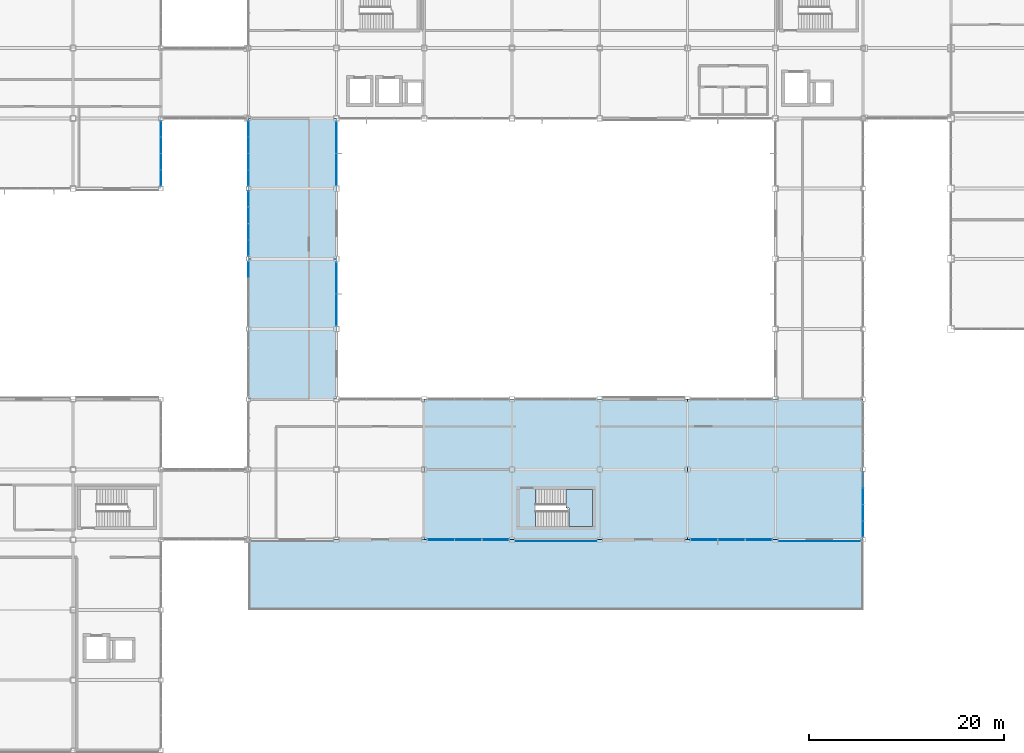
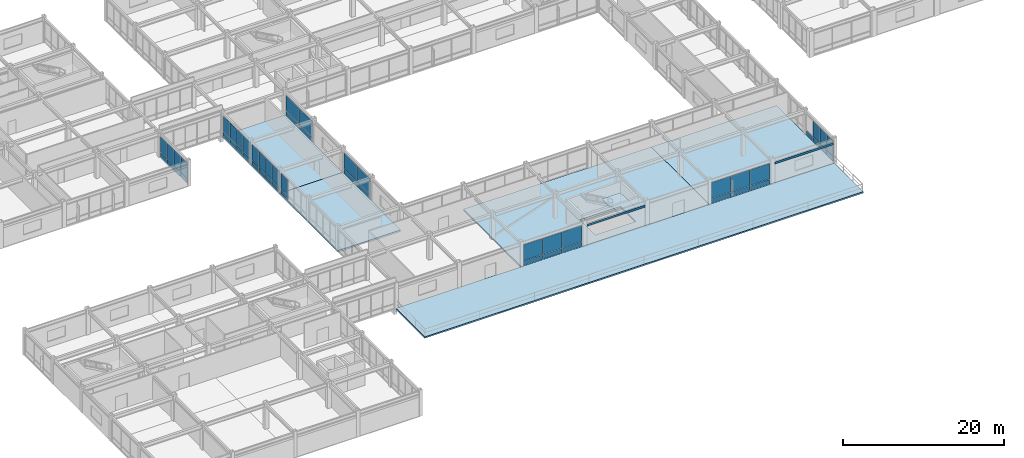
# One storey, part 91 of 122: 55 plates, 6 slabs, 10 elements without a shape of their own.
"""IFC4 building model written with IfcOpenShell, lengths in metres."""

import ifcopenshell
import ifcopenshell.guid

model = None  # the IFC model being written
_history = None  # IfcOwnerHistory: only IFC2X3 demands one
_inside = {}  # id of a spatial element -> (the spatial element, [elements in it])
_under = {}  # id of a project, library or spatial element -> (it, [spatial elements below it])
_declared = {}  # id of a project -> (the project, [libraries it declares])
_typed = {}  # id of a type object -> (the type object, [elements of that type])
_made_of = {}  # id of a material, layer set ... -> (it, [elements and type objects made of it])


def new_model(schema):
    """Start an empty IFC model of exactly this schema.

    Asked for "IFC4X3", IfcOpenShell would pick the latest addendum, in which some entities
    have other attributes; the version numbers below select the first issue.
    IFC2X3 requires an IfcOwnerHistory on every rooted entity: one is made here for all.
    """
    global model, _history
    if schema == "IFC4X3":
        model = ifcopenshell.file(schema_version=(4, 3, 0, 0))
    else:
        model = ifcopenshell.file(schema=schema)
    _inside.clear()
    _under.clear()
    _declared.clear()
    _typed.clear()
    _made_of.clear()
    _history = None
    if model.schema == "IFC2X3":
        org = make("IfcOrganization", Name="unknown")
        user = make(
            "IfcPersonAndOrganization",
            ThePerson=make("IfcPerson", FamilyName="unknown"),
            TheOrganization=org,
        )
        app = make(
            "IfcApplication",
            ApplicationDeveloper=org,
            Version="unknown",
            ApplicationFullName="unknown",
            ApplicationIdentifier="unknown",
        )
        _history = make(
            "IfcOwnerHistory",
            OwningUser=user,
            OwningApplication=app,
            ChangeAction="ADDED",
            CreationDate=0,
        )
    return model


def make(cls, **values):
    """One entity of the class cls with the attributes given. An attribute that is None is left unset."""
    return model.create_entity(
        cls, **{name: value for name, value in values.items() if value is not None}
    )


def rooted(cls, **values):
    """An entity with a GlobalId (a new one), such as an element, a storey or a relation."""
    return make(cls, GlobalId=ifcopenshell.guid.new(), OwnerHistory=_history, **values)


def si_unit(unit_type, name, prefix=None):
    """IfcSIUnit, for example si_unit("LENGTHUNIT", "METRE", prefix="MILLI")."""
    return make("IfcSIUnit", UnitType=unit_type, Prefix=prefix, Name=name)


def assignment(units):
    """IfcUnitAssignment: the units of a project."""
    return None if units is None else make("IfcUnitAssignment", Units=units)


def point(xyz):
    """IfcCartesianPoint."""
    return None if xyz is None else make("IfcCartesianPoint", Coordinates=xyz)


def direction(xyz):
    """IfcDirection."""
    return None if xyz is None else make("IfcDirection", DirectionRatios=xyz)


def frame(location, z_axis=None, x_axis=None):
    """IfcAxis2Placement3D, a coordinate frame: its origin and axes. An axis left out is left unset."""
    return make(
        "IfcAxis2Placement3D",
        Location=point(location),
        Axis=direction(z_axis),
        RefDirection=direction(x_axis),
    )


def frame_2d(location, x_axis=None):
    """IfcAxis2Placement2D, a coordinate frame in the plane: its origin and x axis."""
    return make(
        "IfcAxis2Placement2D", Location=point(location), RefDirection=direction(x_axis)
    )


def origin():
    """The frame at (0, 0, 0) with its axes left unset."""
    return frame((0.0, 0.0, 0.0))


def origin_2d():
    """The frame at (0, 0) in the plane with its x axis left unset."""
    return frame_2d((0.0, 0.0))


def place(relative_to, where):
    """IfcLocalPlacement: puts the frame where relative to a parent placement (None: the world)."""
    return make(
        "IfcLocalPlacement", PlacementRelTo=relative_to, RelativePlacement=where
    )


def context(
    kind, dimensions, precision=None, world=None, true_north=None, identifier=None
):
    """IfcGeometricRepresentationContext, for example the 3D "Model" context."""
    return make(
        "IfcGeometricRepresentationContext",
        ContextIdentifier=identifier,
        ContextType=kind,
        CoordinateSpaceDimension=dimensions,
        Precision=precision,
        WorldCoordinateSystem=world,
        TrueNorth=true_north,
    )


def subcontext(parent, identifier, kind, view, scale=None):
    """IfcGeometricRepresentationSubContext, for example "Body" below "Model"."""
    return make(
        "IfcGeometricRepresentationSubContext",
        ContextIdentifier=identifier,
        ContextType=kind,
        ParentContext=parent,
        TargetScale=scale,
        TargetView=view,
    )


def project(units=None, contexts=None):
    """IfcProject with its units and contexts."""
    return rooted(
        "IfcProject",
        Name="project",
        RepresentationContexts=contexts,
        UnitsInContext=assignment(units),
    )


def spatial(cls, under=None, at=None, **own):
    """A site, building, storey or space (cls), placed at a placement, below another one or the project."""
    s = rooted(cls, ObjectPlacement=at, **own)
    if under is not None:
        _under.setdefault(under.id(), (under, []))[1].append(s)
    return s


def polyline(points):
    """IfcPolyline through the points."""
    return make("IfcPolyline", Points=[point(p) for p in points])


def profile(cls, at=None, kind="AREA", **sizes):
    """A parametric profile (cls). Its sizes go by their IFC names, for example OverallWidth=200.0."""
    return make(cls, ProfileType=kind, Position=at, **sizes)


def rectangle(**sizes):
    """IfcRectangleProfileDef."""
    return profile("IfcRectangleProfileDef", **sizes)


def outline(outer, holes=None, kind="AREA"):
    """IfcArbitraryClosedProfileDef: a profile drawn as a closed curve; with holes, ...WithVoids."""
    if holes is None:
        return make("IfcArbitraryClosedProfileDef", ProfileType=kind, OuterCurve=outer)
    return make(
        "IfcArbitraryProfileDefWithVoids",
        ProfileType=kind,
        OuterCurve=outer,
        InnerCurves=holes,
    )


def extrude(swept, where, along, depth):
    """IfcExtrudedAreaSolid: the profile swept, set in the frame where, extruded along a direction by depth."""
    return make(
        "IfcExtrudedAreaSolid",
        SweptArea=swept,
        Position=where,
        ExtrudedDirection=direction(along),
        Depth=depth,
    )


def shape(context_of_items, identifier, shape_type, items):
    """IfcShapeRepresentation: the items that make up one representation, for example the "Body"."""
    return make(
        "IfcShapeRepresentation",
        ContextOfItems=context_of_items,
        RepresentationIdentifier=identifier,
        RepresentationType=shape_type,
        Items=items,
    )


def material(Name=None, Category=None):
    """IfcMaterial."""
    return make("IfcMaterial", Name=Name, Category=Category)


def layer(
    of_material, thickness, ventilated=None, Name=None, Category=None, Priority=None
):
    """IfcMaterialLayer: one layer of a wall or slab, of a material (None: an air gap)."""
    return make(
        "IfcMaterialLayer",
        Material=of_material,
        LayerThickness=thickness,
        IsVentilated=ventilated,
        Name=Name,
        Category=Category,
        Priority=Priority,
    )


def layer_set(layers, Name=None):
    """IfcMaterialLayerSet."""
    return make("IfcMaterialLayerSet", MaterialLayers=layers, LayerSetName=Name)


def made_of(thing, what):
    """Note that an element or type object is made of a material, layer set ...; save() writes the relation."""
    if what is not None:
        _made_of.setdefault(what.id(), (what, []))[1].append(thing)
    return thing


def type_object(cls, material=None, **own):
    """A type object (cls), such as IfcWallType, which elements share."""
    return made_of(rooted(cls, **own), material)


def element(
    cls,
    number,
    at=None,
    inside=None,
    cuts=None,
    type_object=None,
    material=None,
    context=None,
    identifier="Body",
    shape_type=None,
    held_by="IfcProductDefinitionShape",
    body=None,
    shapes=None,
    **own,
):
    """One element of the class cls, such as IfcWall. Its Tag is "e" and its number.

    at: its placement. inside: the storey or other place that contains it. cuts: it is an
    opening in that element (IfcRelVoidsElement). A single representation is given by context,
    identifier, shape_type and body (its items); several are given by shapes. held_by: the class
    of the entity that holds the representations. save() writes the other relations.
    """
    e = rooted(cls, Tag="e%d" % number, ObjectPlacement=at, **own)
    if body is not None:
        shapes = [shape(context, identifier, shape_type, body)]
    if shapes is not None:
        e.Representation = make(held_by, Representations=shapes)
    if inside is not None:
        _inside.setdefault(inside.id(), (inside, []))[1].append(e)
    if cuts is not None:
        rooted(
            "IfcRelVoidsElement", RelatingBuildingElement=cuts, RelatedOpeningElement=e
        )
    if type_object is not None:
        _typed.setdefault(type_object.id(), (type_object, []))[1].append(e)
    return made_of(e, material)


def aggregate(whole, parts):
    """IfcRelAggregates: a whole, such as a stair, and the parts it consists of."""
    return rooted("IfcRelAggregates", RelatingObject=whole, RelatedObjects=parts)


def save(model, path):
    """Write the relations noted so far, then the file.

    IfcRelAggregates (storeys below a building ...), IfcRelContainedInSpatialStructure (elements
    in a storey), IfcRelDefinesByType, IfcRelAssociatesMaterial and IfcRelDeclares: one each for
    every whole, place, type object, material and project.
    """
    for whole, parts in _under.values():
        aggregate(whole, parts)
    for where, things in _inside.values():
        rooted(
            "IfcRelContainedInSpatialStructure",
            RelatedElements=things,
            RelatingStructure=where,
        )
    for kind, things in _typed.values():
        rooted("IfcRelDefinesByType", RelatedObjects=things, RelatingType=kind)
    for what, things in _made_of.values():
        rooted("IfcRelAssociatesMaterial", RelatedObjects=things, RelatingMaterial=what)
    for by, libraries in _declared.values():
        rooted("IfcRelDeclares", RelatingContext=by, RelatedDefinitions=libraries)
    model.write(path)


model = new_model("IFC4")

# Units and contexts
model_context = context("Model", 3, precision=1e-05, world=origin(), true_north=direction((0.0, 1.0)))
body_context = subcontext(model_context, "Body", "Model", "MODEL_VIEW")
ifc_project = project(units=[si_unit("LENGTHUNIT", "METRE"), si_unit("AREAUNIT", "SQUARE_METRE"), si_unit("VOLUMEUNIT", "CUBIC_METRE"), si_unit("PLANEANGLEUNIT", "RADIAN"), si_unit("MASSUNIT", "GRAM", prefix="KILO")], contexts=[model_context])

# Site, building, storey
site_placement = place(None, origin())
site = spatial("IfcSite", under=ifc_project, at=site_placement, CompositionType="ELEMENT")
building_placement = place(site_placement, origin())
building = spatial("IfcBuilding", under=site, at=building_placement, Name="Kazanami Central Library", CompositionType="ELEMENT")
storey_placement = place(building_placement, frame((0.0, 0.0, 4.800048828125)))
storey = spatial("IfcBuildingStorey", under=building, at=storey_placement, Name="L02", CompositionType="ELEMENT", Elevation=4.800048828125)

# Curtain wall, plates
ifc_material_1 = material(Name="Acid-Etched Low-E Laminated Glass", Category="glass")
curtain_wall_type_1 = type_object("IfcCurtainWallType", Name="CW-8450x3255-M275", PredefinedType="USERDEFINED", material=ifc_material_1)
curtain_wall_1_placement = place(storey_placement, origin())
curtain_wall_1 = element("IfcCurtainWall", 1, at=curtain_wall_1_placement, inside=storey, type_object=curtain_wall_type_1, Name="Unitised Curtain Wall CW-13 L02 S-D-10", ObjectType="UNITISED CURTAIN WALL", PredefinedType="USERDEFINED")
ifc_layer_1 = layer(ifc_material_1, 0.035888671875, Name="Acid-Etched Low-E Laminated Glass")
ifc_layer_set_1 = layer_set([ifc_layer_1], Name="Acid-Etched Low-E Laminated Glass")
plate_type_1 = type_object("IfcPlateType", Name="PLT-CW-P1", PredefinedType="CURTAIN_PANEL", material=ifc_layer_set_1)
plate_1_placement = place(storey_placement, frame((91.700927734375, 21.60009765625, 0.81494140625), z_axis=(0.0, 0.0, 1.0), x_axis=(1.0, 0.0, 0.0)))
plate_1 = element("IfcPlate", 2, at=plate_1_placement, type_object=plate_type_1, Name="CW-13 panel 1.2", PredefinedType="CURTAIN_PANEL", context=body_context, shape_type="SweptSolid", body=[
    extrude(rectangle(XDim=2.711669921875, YDim=0.035888671875, at=origin_2d()), origin(), (0.0, 0.0, 1.0), 2.3701171875),
])
plate_2_placement = place(storey_placement, frame((94.5, 21.60009765625, 0.81494140625), z_axis=(0.0, 0.0, 1.0), x_axis=(1.0, 0.0, 0.0)))
plate_2 = element("IfcPlate", 3, at=plate_2_placement, type_object=plate_type_1, Name="CW-13 panel 2.2", PredefinedType="CURTAIN_PANEL", context=body_context, shape_type="SweptSolid", body=[
    extrude(rectangle(XDim=2.74658203125, YDim=0.035888671875, at=origin_2d()), origin(), (0.0, 0.0, 1.0), 2.3701171875),
])
plate_3_placement = place(storey_placement, frame((97.299072265625, 21.60009765625, 0.81494140625), z_axis=(0.0, 0.0, 1.0), x_axis=(1.0, 0.0, 0.0)))
plate_3 = element("IfcPlate", 4, at=plate_3_placement, type_object=plate_type_1, Name="CW-13 panel 3.2", PredefinedType="CURTAIN_PANEL", context=body_context, shape_type="SweptSolid", body=[
    extrude(rectangle(XDim=2.711669921875, YDim=0.035888671875, at=origin_2d()), origin(), (0.0, 0.0, 1.0), 2.3701171875),
])

curtain_wall_type_2 = type_object("IfcCurtainWallType", Name="CW-6650x3255-M275", PredefinedType="USERDEFINED", material=ifc_material_1)
curtain_wall_2_placement = place(storey_placement, origin())
curtain_wall_2 = element("IfcCurtainWall", 5, at=curtain_wall_2_placement, inside=storey, type_object=curtain_wall_type_2, Name="Unitised Curtain Wall CW-22 L02 E-7-06", ObjectType="UNITISED CURTAIN WALL", PredefinedType="USERDEFINED")
plate_4_placement = place(storey_placement, frame((54.0, 48.445068359375, 0.81494140625), z_axis=(0.0, 0.0, 1.0), x_axis=(0.0, -1.0, 0.0)))
plate_4 = element("IfcPlate", 6, at=plate_4_placement, type_object=plate_type_1, Name="CW-22 panel 1.2", PredefinedType="CURTAIN_PANEL", context=body_context, shape_type="SweptSolid", body=[
    extrude(rectangle(XDim=3.219970703125, YDim=0.035888671875, at=origin_2d()), origin(), (0.0, 0.0, 1.0), 2.3701171875),
])
plate_5_placement = place(storey_placement, frame((54.0, 45.155029296875, 0.81494140625), z_axis=(0.0, 0.0, 1.0), x_axis=(0.0, -1.0, 0.0)))
plate_5 = element("IfcPlate", 7, at=plate_5_placement, type_object=plate_type_1, Name="CW-22 panel 2.2", PredefinedType="CURTAIN_PANEL", context=body_context, shape_type="SweptSolid", body=[
    extrude(rectangle(XDim=3.219970703125, YDim=0.035888671875, at=origin_2d()), origin(), (0.0, 0.0, 1.0), 2.3701171875),
])

curtain_wall_3_placement = place(storey_placement, origin())
curtain_wall_3 = element("IfcCurtainWall", 8, at=curtain_wall_3_placement, inside=storey, type_object=curtain_wall_type_2, Name="Unitised Curtain Wall CW-22 L02 E-7-08", ObjectType="UNITISED CURTAIN WALL", PredefinedType="USERDEFINED")
plate_6_placement = place(storey_placement, frame((54.0, 62.844970703125, 0.81494140625), z_axis=(0.0, 0.0, 1.0), x_axis=(0.0, -1.0, 0.0)))
plate_6 = element("IfcPlate", 9, at=plate_6_placement, type_object=plate_type_1, Name="CW-22 panel 1.2", PredefinedType="CURTAIN_PANEL", context=body_context, shape_type="SweptSolid", body=[
    extrude(rectangle(XDim=3.219970703125, YDim=0.035888671875, at=origin_2d()), origin(), (0.0, 0.0, 1.0), 2.3701171875),
])
plate_7_placement = place(storey_placement, frame((54.0, 59.554931640625, 0.81494140625), z_axis=(0.0, 0.0, 1.0), x_axis=(0.0, -1.0, 0.0)))
plate_7 = element("IfcPlate", 10, at=plate_7_placement, type_object=plate_type_1, Name="CW-22 panel 2.2", PredefinedType="CURTAIN_PANEL", context=body_context, shape_type="SweptSolid", body=[
    extrude(rectangle(XDim=3.219970703125, YDim=0.035888671875, at=origin_2d()), origin(), (0.0, 0.0, 1.0), 2.3701171875),
])

curtain_wall_4_placement = place(storey_placement, origin())
curtain_wall_4 = element("IfcCurtainWall", 11, at=curtain_wall_4_placement, inside=storey, type_object=curtain_wall_type_1, Name="Unitised Curtain Wall CW-13 L02 S-D-07", ObjectType="UNITISED CURTAIN WALL", PredefinedType="USERDEFINED")
ifc_layer_2 = layer(ifc_material_1, 0.0439453125, Name="Acid-Etched Low-E Laminated Glass")
ifc_layer_set_2 = layer_set([ifc_layer_2], Name="Acid-Etched Low-E Laminated Glass")
plate_type_2 = type_object("IfcPlateType", Name="PLT-CW-P2", PredefinedType="CURTAIN_PANEL", material=ifc_layer_set_2)
plate_8_placement = place(storey_placement, frame((64.700927734375, 21.60009765625, 0.81494140625), z_axis=(0.0, 0.0, 1.0), x_axis=(1.0, 0.0, 0.0)))
plate_8 = element("IfcPlate", 12, at=plate_8_placement, type_object=plate_type_2, Name="CW-13 panel 1.2", PredefinedType="CURTAIN_PANEL", context=body_context, shape_type="SweptSolid", body=[
    extrude(rectangle(XDim=2.711669921875, YDim=0.0439453125, at=origin_2d()), origin(), (0.0, 0.0, 1.0), 2.3701171875),
])
plate_9_placement = place(storey_placement, frame((67.5, 21.60009765625, 0.81494140625), z_axis=(0.0, 0.0, 1.0), x_axis=(1.0, 0.0, 0.0)))
plate_9 = element("IfcPlate", 13, at=plate_9_placement, type_object=plate_type_2, Name="CW-13 panel 2.2", PredefinedType="CURTAIN_PANEL", context=body_context, shape_type="SweptSolid", body=[
    extrude(rectangle(XDim=2.74658203125, YDim=0.0439453125, at=origin_2d()), origin(), (0.0, 0.0, 1.0), 2.3701171875),
])
plate_10_placement = place(storey_placement, frame((70.299072265625, 21.60009765625, 0.81494140625), z_axis=(0.0, 0.0, 1.0), x_axis=(1.0, 0.0, 0.0)))
plate_10 = element("IfcPlate", 14, at=plate_10_placement, type_object=plate_type_2, Name="CW-13 panel 3.2", PredefinedType="CURTAIN_PANEL", context=body_context, shape_type="SweptSolid", body=[
    extrude(rectangle(XDim=2.711669921875, YDim=0.0439453125, at=origin_2d()), origin(), (0.0, 0.0, 1.0), 2.3701171875),
])

curtain_wall_type_3 = type_object("IfcCurtainWallType", Name="CW-6750x3255-M180", PredefinedType="USERDEFINED", material=ifc_material_1)
curtain_wall_5_placement = place(storey_placement, origin())
curtain_wall_5 = element("IfcCurtainWall", 15, at=curtain_wall_5_placement, inside=storey, type_object=curtain_wall_type_3, Name="Covered Link Bridge Curtain Wall CW-21 L02 E-5-08", ObjectType="UNITISED CURTAIN WALL", PredefinedType="USERDEFINED")
ifc_material_2 = material(Name="Low-E Insulated Triple Glass", Category="glass")
ifc_layer_3 = layer(ifc_material_2, 0.0400390625, Name="Low-E Insulated Triple Glass")
ifc_layer_set_3 = layer_set([ifc_layer_3], Name="Low-E Insulated Triple Glass")
plate_type_3 = type_object("IfcPlateType", Name="PLT-CW-P3", PredefinedType="CURTAIN_PANEL", material=ifc_layer_set_3)
plate_11_placement = place(storey_placement, frame((36.0, 63.71630859375, 0.81005859375), z_axis=(0.0, 0.0, 1.0), x_axis=(0.0, -1.0, 0.0)))
plate_11 = element("IfcPlate", 16, at=plate_11_placement, type_object=plate_type_3, Name="CW-21 panel 1.2", PredefinedType="CURTAIN_PANEL", context=body_context, shape_type="SweptSolid", body=[
    extrude(rectangle(XDim=1.597412109375, YDim=0.0400390625, at=origin_2d()), origin(), (0.0, 0.0, 1.0), 2.385009765625),
])
plate_12_placement = place(storey_placement, frame((36.0, 62.043701171875, 0.81005859375), z_axis=(0.0, 0.0, 1.0), x_axis=(0.0, -1.0, 0.0)))
plate_12 = element("IfcPlate", 17, at=plate_12_placement, type_object=plate_type_3, Name="CW-21 panel 2.2", PredefinedType="CURTAIN_PANEL", context=body_context, shape_type="SweptSolid", body=[
    extrude(rectangle(XDim=1.62744140625, YDim=0.0400390625, at=origin_2d()), origin(), (0.0, 0.0, 1.0), 2.385009765625),
])
plate_13_placement = place(storey_placement, frame((36.0, 60.356201171875, 0.81005859375), z_axis=(0.0, 0.0, 1.0), x_axis=(0.0, -1.0, 0.0)))
plate_13 = element("IfcPlate", 18, at=plate_13_placement, type_object=plate_type_3, Name="CW-21 panel 3.2", PredefinedType="CURTAIN_PANEL", context=body_context, shape_type="SweptSolid", body=[
    extrude(rectangle(XDim=1.62744140625, YDim=0.0400390625, at=origin_2d()), origin(), (0.0, 0.0, 1.0), 2.385009765625),
])
plate_14_placement = place(storey_placement, frame((36.0, 58.683837890625, 0.81005859375), z_axis=(0.0, 0.0, 1.0), x_axis=(0.0, -1.0, 0.0)))
plate_14 = element("IfcPlate", 19, at=plate_14_placement, type_object=plate_type_3, Name="CW-21 panel 4.2", PredefinedType="CURTAIN_PANEL", context=body_context, shape_type="SweptSolid", body=[
    extrude(rectangle(XDim=1.597412109375, YDim=0.0400390625, at=origin_2d()), origin(), (0.0, 0.0, 1.0), 2.385009765625),
])

# Curtain wall, plate
curtain_wall_6_placement = place(storey_placement, origin())
curtain_wall_6 = element("IfcCurtainWall", 20, at=curtain_wall_6_placement, inside=storey, type_object=curtain_wall_type_3, Name="Covered Link Bridge Curtain Wall CW-21 L02 W-6-06", ObjectType="UNITISED CURTAIN WALL", PredefinedType="USERDEFINED")
plate_15_placement = place(storey_placement, frame((45.0, 49.313720703125, 0.81494140625), z_axis=(0.0, 0.0, 1.0), x_axis=(0.0, 1.0, 0.0)))
plate_15 = element("IfcPlate", 21, at=plate_15_placement, type_object=plate_type_3, Name="CW-21 panel 4.2", PredefinedType="CURTAIN_PANEL", context=body_context, shape_type="SweptSolid", body=[
    extrude(rectangle(XDim=1.58251953125, YDim=0.0400390625, at=origin_2d()), origin(), (0.0, 0.0, 1.0), 2.3701171875),
])

# Curtain wall, plates
curtain_wall_7_placement = place(storey_placement, origin())
curtain_wall_7 = element("IfcCurtainWall", 22, at=curtain_wall_7_placement, inside=storey, type_object=curtain_wall_type_3, Name="Covered Link Bridge Curtain Wall CW-21 L02 W-6-07", ObjectType="UNITISED CURTAIN WALL", PredefinedType="USERDEFINED")
plate_16_placement = place(storey_placement, frame((45.0, 51.486328125, 0.81494140625), z_axis=(0.0, 0.0, 1.0), x_axis=(0.0, 1.0, 0.0)))
plate_16 = element("IfcPlate", 23, at=plate_16_placement, type_object=plate_type_3, Name="CW-21 panel 1.2", PredefinedType="CURTAIN_PANEL", context=body_context, shape_type="SweptSolid", body=[
    extrude(rectangle(XDim=1.58251953125, YDim=0.0400390625, at=origin_2d()), origin(), (0.0, 0.0, 1.0), 2.3701171875),
])
plate_17_placement = place(storey_placement, frame((45.0, 53.15625, 0.81494140625), z_axis=(0.0, 0.0, 1.0), x_axis=(0.0, 1.0, 0.0)))
plate_17 = element("IfcPlate", 24, at=plate_17_placement, type_object=plate_type_3, Name="CW-21 panel 2.2", PredefinedType="CURTAIN_PANEL", context=body_context, shape_type="SweptSolid", body=[
    extrude(rectangle(XDim=1.617431640625, YDim=0.0400390625, at=origin_2d()), origin(), (0.0, 0.0, 1.0), 2.3701171875),
])
plate_18_placement = place(storey_placement, frame((45.0, 54.84375, 0.81494140625), z_axis=(0.0, 0.0, 1.0), x_axis=(0.0, 1.0, 0.0)))
plate_18 = element("IfcPlate", 25, at=plate_18_placement, type_object=plate_type_3, Name="CW-21 panel 3.2", PredefinedType="CURTAIN_PANEL", context=body_context, shape_type="SweptSolid", body=[
    extrude(rectangle(XDim=1.617431640625, YDim=0.0400390625, at=origin_2d()), origin(), (0.0, 0.0, 1.0), 2.3701171875),
])
plate_19_placement = place(storey_placement, frame((45.0, 56.513671875, 0.81494140625), z_axis=(0.0, 0.0, 1.0), x_axis=(0.0, 1.0, 0.0)))
plate_19 = element("IfcPlate", 26, at=plate_19_placement, type_object=plate_type_3, Name="CW-21 panel 4.2", PredefinedType="CURTAIN_PANEL", context=body_context, shape_type="SweptSolid", body=[
    extrude(rectangle(XDim=1.58251953125, YDim=0.0400390625, at=origin_2d()), origin(), (0.0, 0.0, 1.0), 2.3701171875),
])

curtain_wall_8_placement = place(storey_placement, origin())
curtain_wall_8 = element("IfcCurtainWall", 27, at=curtain_wall_8_placement, inside=storey, type_object=curtain_wall_type_3, Name="Covered Link Bridge Curtain Wall CW-21 L02 W-6-08", ObjectType="UNITISED CURTAIN WALL", PredefinedType="USERDEFINED")
plate_20_placement = place(storey_placement, frame((45.0, 58.686279296875, 0.81494140625), z_axis=(0.0, 0.0, 1.0), x_axis=(0.0, 1.0, 0.0)))
plate_20 = element("IfcPlate", 28, at=plate_20_placement, type_object=plate_type_3, Name="CW-21 panel 1.2", PredefinedType="CURTAIN_PANEL", context=body_context, shape_type="SweptSolid", body=[
    extrude(rectangle(XDim=1.58251953125, YDim=0.0400390625, at=origin_2d()), origin(), (0.0, 0.0, 1.0), 2.3701171875),
])
plate_21_placement = place(storey_placement, frame((45.0, 60.356201171875, 0.81494140625), z_axis=(0.0, 0.0, 1.0), x_axis=(0.0, 1.0, 0.0)))
plate_21 = element("IfcPlate", 29, at=plate_21_placement, type_object=plate_type_3, Name="CW-21 panel 2.2", PredefinedType="CURTAIN_PANEL", context=body_context, shape_type="SweptSolid", body=[
    extrude(rectangle(XDim=1.617431640625, YDim=0.0400390625, at=origin_2d()), origin(), (0.0, 0.0, 1.0), 2.3701171875),
])
plate_22_placement = place(storey_placement, frame((45.0, 62.043701171875, 0.81494140625), z_axis=(0.0, 0.0, 1.0), x_axis=(0.0, 1.0, 0.0)))
plate_22 = element("IfcPlate", 30, at=plate_22_placement, type_object=plate_type_3, Name="CW-21 panel 3.2", PredefinedType="CURTAIN_PANEL", context=body_context, shape_type="SweptSolid", body=[
    extrude(rectangle(XDim=1.617431640625, YDim=0.0400390625, at=origin_2d()), origin(), (0.0, 0.0, 1.0), 2.3701171875),
])
plate_23_placement = place(storey_placement, frame((45.0, 63.7138671875, 0.81494140625), z_axis=(0.0, 0.0, 1.0), x_axis=(0.0, 1.0, 0.0)))
plate_23 = element("IfcPlate", 31, at=plate_23_placement, type_object=plate_type_3, Name="CW-21 panel 4.2", PredefinedType="CURTAIN_PANEL", context=body_context, shape_type="SweptSolid", body=[
    extrude(rectangle(XDim=1.58251953125, YDim=0.0400390625, at=origin_2d()), origin(), (0.0, 0.0, 1.0), 2.3701171875),
])

curtain_wall_9_placement = place(storey_placement, origin())
curtain_wall_9 = element("IfcCurtainWall", 32, at=curtain_wall_9_placement, inside=storey, type_object=curtain_wall_type_3, Name="Covered Link Bridge Curtain Wall CW-21 L02 E-13-03", ObjectType="UNITISED CURTAIN WALL", PredefinedType="USERDEFINED")
plate_24_placement = place(storey_placement, frame((108.0, 26.043701171875, 0.81494140625), z_axis=(0.0, 0.0, 1.0), x_axis=(0.0, -1.0, 0.0)))
plate_24 = element("IfcPlate", 33, at=plate_24_placement, type_object=plate_type_3, Name="CW-21 panel 2.2", PredefinedType="CURTAIN_PANEL", context=body_context, shape_type="SweptSolid", body=[
    extrude(rectangle(XDim=1.617431640625, YDim=0.0400390625, at=origin_2d()), origin(), (0.0, 0.0, 1.0), 2.3701171875),
])
plate_25_placement = place(storey_placement, frame((108.0, 24.356201171875, 0.81494140625), z_axis=(0.0, 0.0, 1.0), x_axis=(0.0, -1.0, 0.0)))
plate_25 = element("IfcPlate", 34, at=plate_25_placement, type_object=plate_type_3, Name="CW-21 panel 3.2", PredefinedType="CURTAIN_PANEL", context=body_context, shape_type="SweptSolid", body=[
    extrude(rectangle(XDim=1.617431640625, YDim=0.0400390625, at=origin_2d()), origin(), (0.0, 0.0, 1.0), 2.3701171875),
])
plate_26_placement = place(storey_placement, frame((108.0, 22.686279296875, 0.81494140625), z_axis=(0.0, 0.0, 1.0), x_axis=(0.0, -1.0, 0.0)))
plate_26 = element("IfcPlate", 35, at=plate_26_placement, type_object=plate_type_3, Name="CW-21 panel 4.2", PredefinedType="CURTAIN_PANEL", context=body_context, shape_type="SweptSolid", body=[
    extrude(rectangle(XDim=1.58251953125, YDim=0.0400390625, at=origin_2d()), origin(), (0.0, 0.0, 1.0), 2.3701171875),
])

# Plate
ifc_material_3 = material(Name="Anodised Aluminium A5052-H32", Category="aluminium")
ifc_layer_4 = layer(ifc_material_3, 0.06005859375, Name="Anodised Aluminium A5052-H32")
ifc_layer_set_4 = layer_set([ifc_layer_4], Name="Anodised Aluminium A5052-H32")
plate_type_4 = type_object("IfcPlateType", Name="PLT-CW-SP1", PredefinedType="CURTAIN_PANEL", material=ifc_layer_set_4)
plate_27_placement = place(storey_placement, frame((64.700927734375, 21.60009765625, 0.06982421875), z_axis=(0.0, 0.0, 1.0), x_axis=(1.0, 0.0, 0.0)))
plate_27 = element("IfcPlate", 36, at=plate_27_placement, type_object=plate_type_4, Name="CW-13 panel 1.1", PredefinedType="CURTAIN_PANEL", context=body_context, shape_type="SweptSolid", body=[
    extrude(rectangle(XDim=2.711669921875, YDim=0.06005859375, at=origin_2d()), origin(), (0.0, 0.0, 1.0), 0.675048828125),
])

plate_28_placement = place(storey_placement, frame((67.5, 21.60009765625, 0.06982421875), z_axis=(0.0, 0.0, 1.0), x_axis=(1.0, 0.0, 0.0)))
plate_28 = element("IfcPlate", 37, at=plate_28_placement, type_object=plate_type_4, Name="CW-13 panel 2.1", PredefinedType="CURTAIN_PANEL", context=body_context, shape_type="SweptSolid", body=[
    extrude(rectangle(XDim=2.74658203125, YDim=0.06005859375, at=origin_2d()), origin(), (0.0, 0.0, 1.0), 0.675048828125),
])

plate_29_placement = place(storey_placement, frame((70.299072265625, 21.60009765625, 0.06982421875), z_axis=(0.0, 0.0, 1.0), x_axis=(1.0, 0.0, 0.0)))
plate_29 = element("IfcPlate", 38, at=plate_29_placement, type_object=plate_type_4, Name="CW-13 panel 3.1", PredefinedType="CURTAIN_PANEL", context=body_context, shape_type="SweptSolid", body=[
    extrude(rectangle(XDim=2.711669921875, YDim=0.06005859375, at=origin_2d()), origin(), (0.0, 0.0, 1.0), 0.675048828125),
])

aggregate(curtain_wall_4, [plate_27, plate_8, plate_28, plate_9, plate_29, plate_10])

plate_30_placement = place(storey_placement, frame((91.700927734375, 21.60009765625, 0.06982421875), z_axis=(0.0, 0.0, 1.0), x_axis=(1.0, 0.0, 0.0)))
plate_30 = element("IfcPlate", 39, at=plate_30_placement, type_object=plate_type_4, Name="CW-13 panel 1.1", PredefinedType="CURTAIN_PANEL", context=body_context, shape_type="SweptSolid", body=[
    extrude(rectangle(XDim=2.711669921875, YDim=0.06005859375, at=origin_2d()), origin(), (0.0, 0.0, 1.0), 0.675048828125),
])

plate_31_placement = place(storey_placement, frame((94.5, 21.60009765625, 0.06982421875), z_axis=(0.0, 0.0, 1.0), x_axis=(1.0, 0.0, 0.0)))
plate_31 = element("IfcPlate", 40, at=plate_31_placement, type_object=plate_type_4, Name="CW-13 panel 2.1", PredefinedType="CURTAIN_PANEL", context=body_context, shape_type="SweptSolid", body=[
    extrude(rectangle(XDim=2.74658203125, YDim=0.06005859375, at=origin_2d()), origin(), (0.0, 0.0, 1.0), 0.675048828125),
])

plate_32_placement = place(storey_placement, frame((97.299072265625, 21.60009765625, 0.06982421875), z_axis=(0.0, 0.0, 1.0), x_axis=(1.0, 0.0, 0.0)))
plate_32 = element("IfcPlate", 41, at=plate_32_placement, type_object=plate_type_4, Name="CW-13 panel 3.1", PredefinedType="CURTAIN_PANEL", context=body_context, shape_type="SweptSolid", body=[
    extrude(rectangle(XDim=2.711669921875, YDim=0.06005859375, at=origin_2d()), origin(), (0.0, 0.0, 1.0), 0.675048828125),
])

aggregate(curtain_wall_1, [plate_30, plate_1, plate_31, plate_2, plate_32, plate_3])

plate_33_placement = place(storey_placement, frame((45.0, 49.313720703125, 0.06982421875), z_axis=(0.0, 0.0, 1.0), x_axis=(0.0, 1.0, 0.0)))
plate_33 = element("IfcPlate", 42, at=plate_33_placement, type_object=plate_type_4, Name="CW-21 panel 4.1", PredefinedType="CURTAIN_PANEL", context=body_context, shape_type="SweptSolid", body=[
    extrude(rectangle(XDim=1.58251953125, YDim=0.06005859375, at=origin_2d()), origin(), (0.0, 0.0, 1.0), 0.675048828125),
])

aggregate(curtain_wall_6, [plate_33, plate_15])

plate_34_placement = place(storey_placement, frame((45.0, 51.486328125, 0.06982421875), z_axis=(0.0, 0.0, 1.0), x_axis=(0.0, 1.0, 0.0)))
plate_34 = element("IfcPlate", 43, at=plate_34_placement, type_object=plate_type_4, Name="CW-21 panel 1.1", PredefinedType="CURTAIN_PANEL", context=body_context, shape_type="SweptSolid", body=[
    extrude(rectangle(XDim=1.58251953125, YDim=0.06005859375, at=origin_2d()), origin(), (0.0, 0.0, 1.0), 0.675048828125),
])

plate_35_placement = place(storey_placement, frame((45.0, 53.15625, 0.06982421875), z_axis=(0.0, 0.0, 1.0), x_axis=(0.0, 1.0, 0.0)))
plate_35 = element("IfcPlate", 44, at=plate_35_placement, type_object=plate_type_4, Name="CW-21 panel 2.1", PredefinedType="CURTAIN_PANEL", context=body_context, shape_type="SweptSolid", body=[
    extrude(rectangle(XDim=1.617431640625, YDim=0.06005859375, at=origin_2d()), origin(), (0.0, 0.0, 1.0), 0.675048828125),
])

plate_36_placement = place(storey_placement, frame((45.0, 54.84375, 0.06982421875), z_axis=(0.0, 0.0, 1.0), x_axis=(0.0, 1.0, 0.0)))
plate_36 = element("IfcPlate", 45, at=plate_36_placement, type_object=plate_type_4, Name="CW-21 panel 3.1", PredefinedType="CURTAIN_PANEL", context=body_context, shape_type="SweptSolid", body=[
    extrude(rectangle(XDim=1.617431640625, YDim=0.06005859375, at=origin_2d()), origin(), (0.0, 0.0, 1.0), 0.675048828125),
])

plate_37_placement = place(storey_placement, frame((45.0, 56.513671875, 0.06982421875), z_axis=(0.0, 0.0, 1.0), x_axis=(0.0, 1.0, 0.0)))
plate_37 = element("IfcPlate", 46, at=plate_37_placement, type_object=plate_type_4, Name="CW-21 panel 4.1", PredefinedType="CURTAIN_PANEL", context=body_context, shape_type="SweptSolid", body=[
    extrude(rectangle(XDim=1.58251953125, YDim=0.06005859375, at=origin_2d()), origin(), (0.0, 0.0, 1.0), 0.675048828125),
])

aggregate(curtain_wall_7, [plate_34, plate_16, plate_35, plate_17, plate_36, plate_18, plate_37, plate_19])

plate_38_placement = place(storey_placement, frame((45.0, 58.686279296875, 0.06982421875), z_axis=(0.0, 0.0, 1.0), x_axis=(0.0, 1.0, 0.0)))
plate_38 = element("IfcPlate", 47, at=plate_38_placement, type_object=plate_type_4, Name="CW-21 panel 1.1", PredefinedType="CURTAIN_PANEL", context=body_context, shape_type="SweptSolid", body=[
    extrude(rectangle(XDim=1.58251953125, YDim=0.06005859375, at=origin_2d()), origin(), (0.0, 0.0, 1.0), 0.675048828125),
])

plate_39_placement = place(storey_placement, frame((45.0, 60.356201171875, 0.06982421875), z_axis=(0.0, 0.0, 1.0), x_axis=(0.0, 1.0, 0.0)))
plate_39 = element("IfcPlate", 48, at=plate_39_placement, type_object=plate_type_4, Name="CW-21 panel 2.1", PredefinedType="CURTAIN_PANEL", context=body_context, shape_type="SweptSolid", body=[
    extrude(rectangle(XDim=1.617431640625, YDim=0.06005859375, at=origin_2d()), origin(), (0.0, 0.0, 1.0), 0.675048828125),
])

plate_40_placement = place(storey_placement, frame((45.0, 62.043701171875, 0.06982421875), z_axis=(0.0, 0.0, 1.0), x_axis=(0.0, 1.0, 0.0)))
plate_40 = element("IfcPlate", 49, at=plate_40_placement, type_object=plate_type_4, Name="CW-21 panel 3.1", PredefinedType="CURTAIN_PANEL", context=body_context, shape_type="SweptSolid", body=[
    extrude(rectangle(XDim=1.617431640625, YDim=0.06005859375, at=origin_2d()), origin(), (0.0, 0.0, 1.0), 0.675048828125),
])

plate_41_placement = place(storey_placement, frame((45.0, 63.7138671875, 0.06982421875), z_axis=(0.0, 0.0, 1.0), x_axis=(0.0, 1.0, 0.0)))
plate_41 = element("IfcPlate", 50, at=plate_41_placement, type_object=plate_type_4, Name="CW-21 panel 4.1", PredefinedType="CURTAIN_PANEL", context=body_context, shape_type="SweptSolid", body=[
    extrude(rectangle(XDim=1.58251953125, YDim=0.06005859375, at=origin_2d()), origin(), (0.0, 0.0, 1.0), 0.675048828125),
])

aggregate(curtain_wall_8, [plate_38, plate_20, plate_39, plate_21, plate_40, plate_22, plate_41, plate_23])

plate_42_placement = place(storey_placement, frame((54.0, 48.445068359375, 0.06982421875), z_axis=(0.0, 0.0, 1.0), x_axis=(0.0, -1.0, 0.0)))
plate_42 = element("IfcPlate", 51, at=plate_42_placement, type_object=plate_type_4, Name="CW-22 panel 1.1", PredefinedType="CURTAIN_PANEL", context=body_context, shape_type="SweptSolid", body=[
    extrude(rectangle(XDim=3.219970703125, YDim=0.06005859375, at=origin_2d()), origin(), (0.0, 0.0, 1.0), 0.675048828125),
])

plate_43_placement = place(storey_placement, frame((54.0, 45.155029296875, 0.06982421875), z_axis=(0.0, 0.0, 1.0), x_axis=(0.0, -1.0, 0.0)))
plate_43 = element("IfcPlate", 52, at=plate_43_placement, type_object=plate_type_4, Name="CW-22 panel 2.1", PredefinedType="CURTAIN_PANEL", context=body_context, shape_type="SweptSolid", body=[
    extrude(rectangle(XDim=3.219970703125, YDim=0.06005859375, at=origin_2d()), origin(), (0.0, 0.0, 1.0), 0.675048828125),
])

aggregate(curtain_wall_2, [plate_42, plate_4, plate_43, plate_5])

plate_44_placement = place(storey_placement, frame((54.0, 62.844970703125, 0.06982421875), z_axis=(0.0, 0.0, 1.0), x_axis=(0.0, -1.0, 0.0)))
plate_44 = element("IfcPlate", 53, at=plate_44_placement, type_object=plate_type_4, Name="CW-22 panel 1.1", PredefinedType="CURTAIN_PANEL", context=body_context, shape_type="SweptSolid", body=[
    extrude(rectangle(XDim=3.219970703125, YDim=0.06005859375, at=origin_2d()), origin(), (0.0, 0.0, 1.0), 0.675048828125),
])

plate_45_placement = place(storey_placement, frame((54.0, 59.554931640625, 0.06982421875), z_axis=(0.0, 0.0, 1.0), x_axis=(0.0, -1.0, 0.0)))
plate_45 = element("IfcPlate", 54, at=plate_45_placement, type_object=plate_type_4, Name="CW-22 panel 2.1", PredefinedType="CURTAIN_PANEL", context=body_context, shape_type="SweptSolid", body=[
    extrude(rectangle(XDim=3.219970703125, YDim=0.06005859375, at=origin_2d()), origin(), (0.0, 0.0, 1.0), 0.675048828125),
])

aggregate(curtain_wall_3, [plate_44, plate_6, plate_45, plate_7])

plate_46_placement = place(storey_placement, frame((108.0, 27.7138671875, 0.06982421875), z_axis=(0.0, 0.0, 1.0), x_axis=(0.0, -1.0, 0.0)))
plate_46 = element("IfcPlate", 55, at=plate_46_placement, type_object=plate_type_4, Name="CW-21 panel 1.1", PredefinedType="CURTAIN_PANEL", context=body_context, shape_type="SweptSolid", body=[
    extrude(rectangle(XDim=1.58251953125, YDim=0.06005859375, at=origin_2d()), origin(), (0.0, 0.0, 1.0), 0.675048828125),
])

plate_47_placement = place(storey_placement, frame((108.0, 26.043701171875, 0.06982421875), z_axis=(0.0, 0.0, 1.0), x_axis=(0.0, -1.0, 0.0)))
plate_47 = element("IfcPlate", 56, at=plate_47_placement, type_object=plate_type_4, Name="CW-21 panel 2.1", PredefinedType="CURTAIN_PANEL", context=body_context, shape_type="SweptSolid", body=[
    extrude(rectangle(XDim=1.617431640625, YDim=0.06005859375, at=origin_2d()), origin(), (0.0, 0.0, 1.0), 0.675048828125),
])

plate_48_placement = place(storey_placement, frame((108.0, 24.356201171875, 0.06982421875), z_axis=(0.0, 0.0, 1.0), x_axis=(0.0, -1.0, 0.0)))
plate_48 = element("IfcPlate", 57, at=plate_48_placement, type_object=plate_type_4, Name="CW-21 panel 3.1", PredefinedType="CURTAIN_PANEL", context=body_context, shape_type="SweptSolid", body=[
    extrude(rectangle(XDim=1.617431640625, YDim=0.06005859375, at=origin_2d()), origin(), (0.0, 0.0, 1.0), 0.675048828125),
])

plate_49_placement = place(storey_placement, frame((108.0, 22.686279296875, 0.06982421875), z_axis=(0.0, 0.0, 1.0), x_axis=(0.0, -1.0, 0.0)))
plate_49 = element("IfcPlate", 58, at=plate_49_placement, type_object=plate_type_4, Name="CW-21 panel 4.1", PredefinedType="CURTAIN_PANEL", context=body_context, shape_type="SweptSolid", body=[
    extrude(rectangle(XDim=1.58251953125, YDim=0.06005859375, at=origin_2d()), origin(), (0.0, 0.0, 1.0), 0.675048828125),
])

aggregate(curtain_wall_9, [plate_46, plate_47, plate_24, plate_48, plate_25, plate_49, plate_26])

ifc_layer_5 = layer(ifc_material_3, 0.052001953125, Name="Anodised Aluminium A5052-H32")
ifc_layer_set_5 = layer_set([ifc_layer_5], Name="Anodised Aluminium A5052-H32")
plate_type_5 = type_object("IfcPlateType", Name="PLT-CW-SP2", PredefinedType="CURTAIN_PANEL", material=ifc_layer_set_5)
plate_50_placement = place(storey_placement, frame((36.0, 63.71630859375, 0.06005859375), z_axis=(0.0, 0.0, 1.0), x_axis=(0.0, -1.0, 0.0)))
plate_50 = element("IfcPlate", 59, at=plate_50_placement, type_object=plate_type_5, Name="CW-21 panel 1.1", PredefinedType="CURTAIN_PANEL", context=body_context, shape_type="SweptSolid", body=[
    extrude(rectangle(XDim=1.597412109375, YDim=0.052001953125, at=origin_2d()), origin(), (0.0, 0.0, 1.0), 0.68994140625),
])

plate_51_placement = place(storey_placement, frame((36.0, 62.043701171875, 0.06005859375), z_axis=(0.0, 0.0, 1.0), x_axis=(0.0, -1.0, 0.0)))
plate_51 = element("IfcPlate", 60, at=plate_51_placement, type_object=plate_type_5, Name="CW-21 panel 2.1", PredefinedType="CURTAIN_PANEL", context=body_context, shape_type="SweptSolid", body=[
    extrude(rectangle(XDim=1.62744140625, YDim=0.052001953125, at=origin_2d()), origin(), (0.0, 0.0, 1.0), 0.68994140625),
])

plate_52_placement = place(storey_placement, frame((36.0, 60.356201171875, 0.06005859375), z_axis=(0.0, 0.0, 1.0), x_axis=(0.0, -1.0, 0.0)))
plate_52 = element("IfcPlate", 61, at=plate_52_placement, type_object=plate_type_5, Name="CW-21 panel 3.1", PredefinedType="CURTAIN_PANEL", context=body_context, shape_type="SweptSolid", body=[
    extrude(rectangle(XDim=1.62744140625, YDim=0.052001953125, at=origin_2d()), origin(), (0.0, 0.0, 1.0), 0.68994140625),
])

plate_53_placement = place(storey_placement, frame((36.0, 58.683837890625, 0.06005859375), z_axis=(0.0, 0.0, 1.0), x_axis=(0.0, -1.0, 0.0)))
plate_53 = element("IfcPlate", 62, at=plate_53_placement, type_object=plate_type_5, Name="CW-21 panel 4.1", PredefinedType="CURTAIN_PANEL", context=body_context, shape_type="SweptSolid", body=[
    extrude(rectangle(XDim=1.597412109375, YDim=0.052001953125, at=origin_2d()), origin(), (0.0, 0.0, 1.0), 0.68994140625),
])

aggregate(curtain_wall_5, [plate_50, plate_11, plate_51, plate_12, plate_52, plate_13, plate_53, plate_14])

# Plates
ifc_layer_6 = layer(ifc_material_3, 0.011962890625, Name="Anodised Aluminium A5052-H32")
ifc_layer_set_6 = layer_set([ifc_layer_6], Name="Anodised Aluminium A5052-H32")
plate_type_6 = type_object("IfcPlateType", Name="PLT-SPN-12", PredefinedType="SHEET", material=ifc_layer_set_6)
plate_54_placement = place(storey_placement, frame((103.52490234375, 21.43408203125, 2.94482421875), z_axis=(0.0, 0.0, 1.0), x_axis=(1.0, 0.0, 0.0)))
element("IfcPlate", 63, at=plate_54_placement, inside=storey, type_object=plate_type_6, Name="Architectural Spandrel Sheet SPN-12 L02 S-D-11", PredefinedType="SHEET", context=body_context, shape_type="SweptSolid", body=[
    extrude(rectangle(XDim=8.39990234375, YDim=0.011962890625, at=origin_2d()), origin(), (0.0, 0.0, 1.0), 0.300048828125),
])
ifc_layer_7 = layer(ifc_material_3, 0.01806640625, Name="Anodised Aluminium A5052-H32")
ifc_layer_set_7 = layer_set([ifc_layer_7], Name="Anodised Aluminium A5052-H32")
plate_type_7 = type_object("IfcPlateType", Name="PLT-SPN-18", PredefinedType="SHEET", material=ifc_layer_set_7)
plate_55_placement = place(storey_placement, frame((76.5, 21.430908203125, 2.94482421875), z_axis=(0.0, 0.0, 1.0), x_axis=(1.0, 0.0, 0.0)))
element("IfcPlate", 64, at=plate_55_placement, inside=storey, type_object=plate_type_7, Name="Architectural Spandrel Sheet SPN-18 L02 S-D-08", PredefinedType="SHEET", context=body_context, shape_type="SweptSolid", body=[
    extrude(rectangle(XDim=8.35009765625, YDim=0.01806640625, at=origin_2d()), origin(), (0.0, 0.0, 1.0), 0.300048828125),
])

# Slabs
ifc_material_4 = material(Name="Concrete Fc36 (36 MPa)", Category="concrete")
ifc_layer_8 = layer(ifc_material_4, 0.2451171875, Name="Concrete Fc36 (36 MPa)")
ifc_layer_set_8 = layer_set([ifc_layer_8], Name="Concrete Fc36 (36 MPa)")
slab_type_1 = type_object("IfcSlabType", Name="SLB-FLR-245", PredefinedType="FLOOR", material=ifc_layer_set_8)
slab_1_placement = place(storey_placement, frame((0.0, 0.0, -0.2451171875)))
element("IfcSlab", 65, at=slab_1_placement, inside=storey, type_object=slab_type_1, Name="Composite Floor Slab L02 V1-SOUTH Zone 14", PredefinedType="FLOOR", context=body_context, shape_type="SweptSolid", body=[
    extrude(outline(polyline([(63.0, 21.60009765625), (90.0, 21.60009765625), (90.0, 36.0), (63.0, 36.0), (63.0, 21.60009765625)]), holes=[polyline([(74.39990234375, 22.949951171875), (80.25, 22.949951171875), (80.25, 26.75), (74.39990234375, 26.75), (74.39990234375, 22.949951171875)])]), origin(), (0.0, 0.0, 1.0), 0.2451171875),
])
slab_2_placement = place(storey_placement, frame((0.0, 0.0, -0.2451171875)))
element("IfcSlab", 66, at=slab_2_placement, inside=storey, type_object=slab_type_1, Name="Composite Floor Slab L02 V1-SOUTH Zone 15", PredefinedType="FLOOR", context=body_context, shape_type="SweptSolid", body=[
    extrude(outline(polyline([(90.0, 21.60009765625), (108.0, 21.60009765625), (108.0, 36.0), (90.0, 36.0), (90.0, 21.60009765625)])), origin(), (0.0, 0.0, 1.0), 0.2451171875),
])
slab_3_placement = place(storey_placement, frame((0.0, 0.0, -0.2451171875)))
element("IfcSlab", 67, at=slab_3_placement, inside=storey, type_object=slab_type_1, Name="Composite Floor Slab L02 V1-WEST Zone 16", PredefinedType="FLOOR", context=body_context, shape_type="SweptSolid", body=[
    extrude(outline(polyline([(45.0, 36.0), (54.0, 36.0), (54.0, 50.39990234375), (45.0, 50.39990234375), (45.0, 36.0)])), origin(), (0.0, 0.0, 1.0), 0.2451171875),
])
slab_4_placement = place(storey_placement, frame((0.0, 0.0, -0.2451171875)))
element("IfcSlab", 68, at=slab_4_placement, inside=storey, type_object=slab_type_1, Name="Composite Floor Slab L02 V1-WEST Zone 17", PredefinedType="FLOOR", context=body_context, shape_type="SweptSolid", body=[
    extrude(outline(polyline([(45.0, 50.39990234375), (54.0, 50.39990234375), (54.0, 64.800048828125), (45.0, 64.800048828125), (45.0, 50.39990234375)])), origin(), (0.0, 0.0, 1.0), 0.2451171875),
])

# Stair, slab
stair_type = type_object("IfcStairType", Name="STR-P40", PredefinedType="HALF_TURN_STAIR", material=ifc_material_4)
stair_placement = place(storey_placement, origin())
stair = element("IfcStair", 69, at=stair_placement, inside=storey, type_object=stair_type, Name="Enclosed Escape Stair ST-09 (L02)", PredefinedType="HALF_TURN_STAIR")
ifc_layer_9 = layer(ifc_material_4, 0.179931640625, Name="Concrete Fc36 (36 MPa)")
ifc_layer_set_9 = layer_set([ifc_layer_9], Name="Concrete Fc36 (36 MPa)")
slab_type_2 = type_object("IfcSlabType", Name="SLB-LND-180", PredefinedType="LANDING", material=ifc_layer_set_9)
slab_5_placement = place(storey_placement, frame((0.0, 0.0, 1.89990234375)))
slab_5 = element("IfcSlab", 70, at=slab_5_placement, type_object=slab_type_2, Name="ST-09 landing 1", PredefinedType="LANDING", context=body_context, shape_type="SweptSolid", body=[
    extrude(outline(polyline([(77.827880859375, 22.949951171875), (80.25, 22.949951171875), (80.25, 26.75), (77.548095703125, 26.75), (77.548095703125, 24.85009765625), (77.827880859375, 24.85009765625), (77.827880859375, 22.949951171875)])), origin(), (0.0, 0.0, 1.0), 0.179931640625),
])
aggregate(stair, [slab_5])

# Slab
ifc_layer_10 = layer(ifc_material_4, 0.219970703125, Name="Concrete Fc36 (36 MPa)")
ifc_layer_set_10 = layer_set([ifc_layer_10], Name="Concrete Fc36 (36 MPa)")
slab_type_3 = type_object("IfcSlabType", Name="SLB-TER-220", PredefinedType="FLOOR", material=ifc_layer_set_10)
slab_6_placement = place(storey_placement, frame((0.0, 0.0, -0.219970703125)))
element("IfcSlab", 71, at=slab_6_placement, inside=storey, type_object=slab_type_3, Name="Waterfront Colonnade Reading Terrace L02", PredefinedType="FLOOR", context=body_context, shape_type="SweptSolid", body=[
    extrude(outline(polyline([(45.0, 14.39990234375), (108.0, 14.39990234375), (108.0, 21.60009765625), (45.0, 21.60009765625), (45.0, 14.39990234375)])), origin(), (0.0, 0.0, 1.0), 0.219970703125),
])

save(model, "model.ifc")
